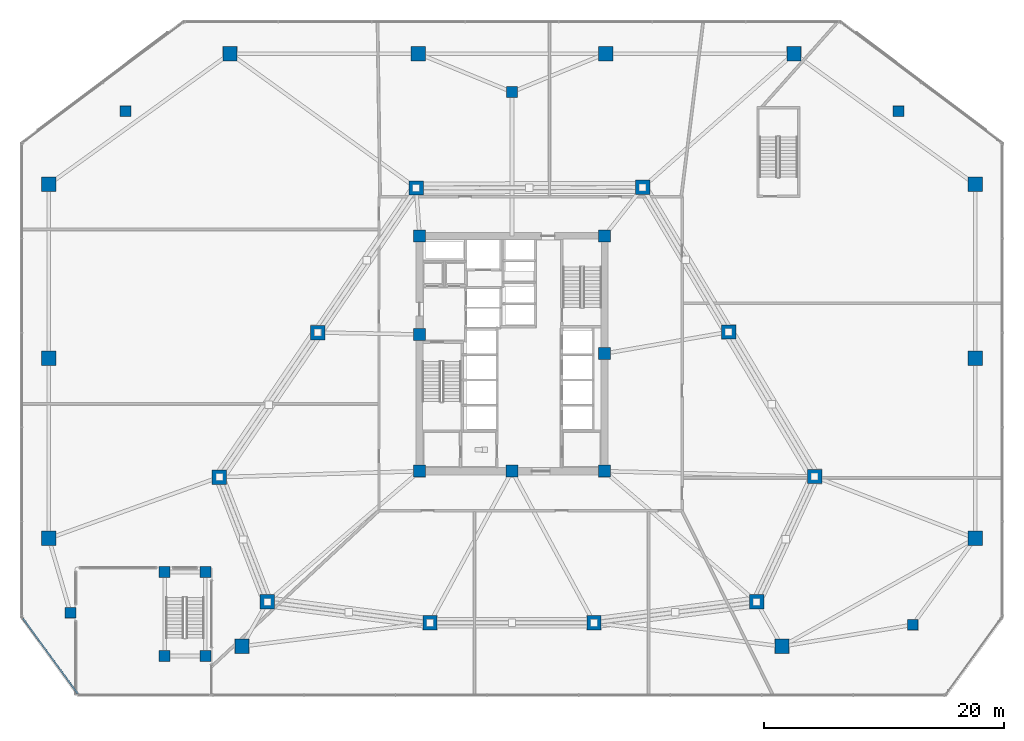
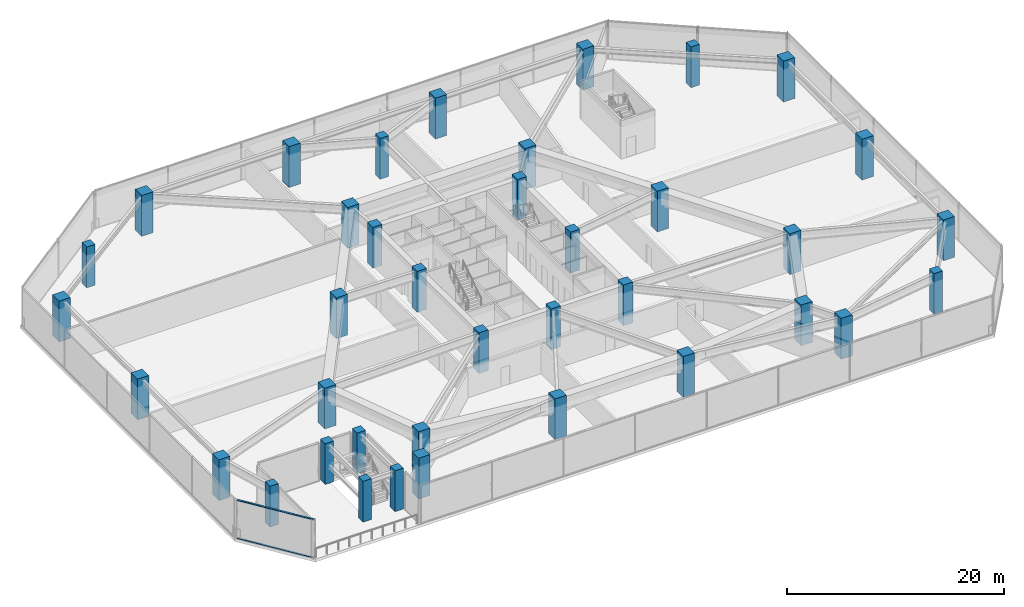
# One storey, part 1 of 23: 38 columns, 2 members, 1 element without a shape of its own.
"""IFC4 building model written with IfcOpenShell, lengths in metres."""

from ifc_helpers import new_model, si_unit, direction, frame, origin, origin_2d, place, context, subcontext, project, spatial, rectangle, extrude, material, material_profile, profile_set, type_object, element, aggregate, save


model = new_model("IFC4")

# Units and contexts
model_context = context("Model", 3, precision=1e-05, world=origin(), true_north=direction((0.0, 1.0)))
body_context = subcontext(model_context, "Body", "Model", "MODEL_VIEW")
ifc_project = project(units=[si_unit("LENGTHUNIT", "METRE"), si_unit("AREAUNIT", "SQUARE_METRE"), si_unit("VOLUMEUNIT", "CUBIC_METRE"), si_unit("PLANEANGLEUNIT", "RADIAN"), si_unit("MASSUNIT", "GRAM", prefix="KILO")], contexts=[model_context])

# Site, building, storey
site_placement = place(None, origin())
site = spatial("IfcSite", under=ifc_project, at=site_placement, CompositionType="ELEMENT")
building_placement = place(site_placement, origin())
building = spatial("IfcBuilding", under=site, at=building_placement, Name="Savorim Split Tower", CompositionType="ELEMENT")
storey_placement = place(building_placement, frame((0.0, 0.0, 21.800048828125)))
storey = spatial("IfcBuildingStorey", under=building, at=storey_placement, Name="L05", CompositionType="ELEMENT", Elevation=21.800048828125)

# Columns
ifc_material_1 = material(Name="Concrete C60/75", Category="concrete")
ifc_material_profile_1 = material_profile(ifc_material_1, rectangle(XDim=1.0, YDim=1.0, at=origin_2d()), Name="RC 1000x1000")
ifc_profile_set_1 = profile_set([ifc_material_profile_1], Name="Concrete C60/75")
column_type_1 = type_object("IfcColumnType", Name="COL-RC-1000", PredefinedType="COLUMN", material=ifc_profile_set_1)
for number, where, z_axis, x_axis, name in (
    (1, (-7.699951171875, -9.39990234375, 0.0), (0.0, 0.0, 1.0), (1.0, 0.0, 0.0), "L05 Core Structural Column TC-C1"),
    (2, (7.699951171875, -9.39990234375, 0.0), (0.0, 0.0, 1.0), (1.0, 0.0, 0.0), "L05 Core Structural Column TC-C2"),
    (3, (7.699951171875, 10.199951171875, 0.0), (0.0, 0.0, 1.0), (1.0, 0.0, 0.0), "L05 Core Structural Column TC-C3"),
    (4, (-7.699951171875, 10.199951171875, 0.0), (0.0, 0.0, 1.0), (1.0, 0.0, 0.0), "L05 Core Structural Column TC-C4"),
    (5, (0.0, -9.39990234375, 0.0), (0.0, 0.0, 1.0), (1.0, 0.0, 0.0), "L05 Core Structural Column TC-C5"),
    (6, (7.699951171875, 0.39990234375, 0.0), (0.0, 0.0, 1.0), (1.0, 0.0, 0.0), "L05 Core Structural Column TC-C6"),
    (7, (-7.699951171875, 2.0, 0.0), (0.0, 0.0, 1.0), (1.0, 0.0, 0.0), "L05 Core Structural Column TC-C7"),
):
    element("IfcColumn", number, at=place(storey_placement, frame(where, z_axis=z_axis, x_axis=x_axis)), inside=storey, type_object=column_type_1, Name=name, PredefinedType="COLUMN", context=body_context, shape_type="SweptSolid", body=[
        extrude(rectangle(XDim=1.0, YDim=1.0, at=origin_2d()), origin(), (0.0, 0.0, 1.0), 4.599853515625),
    ])
ifc_material_profile_2 = material_profile(ifc_material_1, rectangle(XDim=1.199951171875, YDim=1.199951171875, at=origin_2d()), Name="RC 1200x1200")
ifc_profile_set_2 = profile_set([ifc_material_profile_2], Name="Concrete C60/75")
column_type_2 = type_object("IfcColumnType", Name="COL-RC-1200", PredefinedType="COLUMN", material=ifc_profile_set_2)
for number, where, z_axis, x_axis, name in (
    (8, (38.60009765625, -15.0, 0.0), (0.0, 0.0, 1.0), (1.0, 0.0, 0.0), "L05 Podium Perimeter Column DC-05"),
    (9, (38.60009765625, 0.0, 0.0), (0.0, 0.0, 1.0), (1.0, 0.0, 0.0), "L05 Podium Perimeter Column DC-06"),
    (10, (38.60009765625, 14.5, 0.0), (0.0, 0.0, 1.0), (1.0, 0.0, 0.0), "L05 Podium Perimeter Column DC-07"),
    (11, (23.5, 25.39990234375, 0.0), (0.0, 0.0, 1.0), (1.0, 0.0, 0.0), "L05 Podium Perimeter Column DC-08"),
    (12, (7.800048828125, 25.39990234375, 0.0), (0.0, 0.0, 1.0), (1.0, 0.0, 0.0), "L05 Podium Perimeter Column DC-09"),
    (13, (-7.800048828125, 25.39990234375, 0.0), (0.0, 0.0, 1.0), (1.0, 0.0, 0.0), "L05 Podium Perimeter Column DC-10"),
    (14, (-23.5, 25.39990234375, 0.0), (0.0, 0.0, 1.0), (1.0, 0.0, 0.0), "L05 Podium Perimeter Column DC-11"),
    (15, (-38.60009765625, 14.5, 0.0), (0.0, 0.0, 1.0), (1.0, 0.0, 0.0), "L05 Podium Perimeter Column DC-12"),
    (16, (-38.60009765625, 0.0, 0.0), (0.0, 0.0, 1.0), (1.0, 0.0, 0.0), "L05 Podium Perimeter Column DC-13"),
    (17, (-38.60009765625, -15.0, 0.0), (0.0, 0.0, 1.0), (1.0, 0.0, 0.0), "L05 Podium Perimeter Column DC-14"),
    (18, (-22.5, -24.0, 0.0), (0.0, 0.0, 1.0), (1.0, 0.0, 0.0), "L05 Podium Perimeter Column DC-01"),
    (19, (22.5, -24.0, 0.0), (0.0, 0.0, 1.0), (1.0, 0.0, 0.0), "L05 Podium Perimeter Column DC-04"),
    (20, (-20.384033203125, -20.291748046875, 0.0), (0.0, 0.0, 1.0), (1.0, 0.0, 0.0), "L05 Tower Transfer Pier Column PC-S1"),
    (21, (-6.831787109375, -22.03173828125, 0.0), (0.0, 0.0, 1.0), (1.0, 0.0, 0.0), "L05 Tower Transfer Pier Column PC-S2"),
    (22, (6.831787109375, -22.03173828125, 0.0), (0.0, 0.0, 1.0), (1.0, 0.0, 0.0), "L05 Tower Transfer Pier Column PC-S3"),
    (23, (20.384033203125, -20.291748046875, 0.0), (0.0, 0.0, 1.0), (1.0, 0.0, 0.0), "L05 Tower Transfer Pier Column PC-S4"),
    (24, (25.21337890625, -9.845458984375, 0.0), (0.0, 0.0, 1.0), (1.0, 0.0, 0.0), "L05 Tower Transfer Pier Column PC-E1"),
    (25, (18.049560546875, 2.202392578125, 0.0), (0.0, 0.0, 1.0), (1.0, 0.0, 0.0), "L05 Tower Transfer Pier Column PC-E2"),
    (26, (10.885498046875, 14.25048828125, 0.0), (0.0, 0.0, 1.0), (1.0, 0.0, 0.0), "L05 Tower Transfer Pier Column PC-E3"),
    (27, (-7.992431640625, 14.20166015625, 0.0), (0.0, 0.0, 1.0), (1.0, 0.0, 0.0), "L05 Tower Transfer Pier Column PC-W1"),
    (28, (-16.1884765625, 2.15380859375, 0.0), (0.0, 0.0, 1.0), (1.0, 0.0, 0.0), "L05 Tower Transfer Pier Column PC-W2"),
    (29, (-24.384521484375, -9.894287109375, 0.0), (0.0, 0.0, 1.0), (1.0, 0.0, 0.0), "L05 Tower Transfer Pier Column PC-W3"),
):
    element("IfcColumn", number, at=place(storey_placement, frame(where, z_axis=z_axis, x_axis=x_axis)), inside=storey, type_object=column_type_2, Name=name, PredefinedType="COLUMN", context=body_context, shape_type="SweptSolid", body=[
        extrude(rectangle(XDim=1.199951171875, YDim=1.199951171875, at=origin_2d()), origin(), (0.0, 0.0, 1.0), 4.599853515625),
    ])
ifc_material_profile_3 = material_profile(ifc_material_1, rectangle(XDim=0.89990234375, YDim=0.89990234375, at=origin_2d()), Name="RC 900x900")
ifc_profile_set_3 = profile_set([ifc_material_profile_3], Name="Concrete C60/75")
column_type_3 = type_object("IfcColumnType", Name="COL-RC-900", PredefinedType="COLUMN", material=ifc_profile_set_3)
for number, where, z_axis, x_axis, name in (
    (30, (33.39990234375, -22.199951171875, 0.0), (0.0, 0.0, 1.0), (1.0, 0.0, 0.0), "L05 Podium Support Column GC-01"),
    (31, (32.199951171875, 20.60009765625, 0.0), (0.0, 0.0, 1.0), (1.0, 0.0, 0.0), "L05 Podium Support Column GC-02"),
    (32, (-32.199951171875, 20.60009765625, 0.0), (0.0, 0.0, 1.0), (1.0, 0.0, 0.0), "L05 Podium Support Column GC-03"),
    (33, (-36.800048828125, -21.199951171875, 0.0), (0.0, 0.0, 1.0), (1.0, 0.0, 0.0), "L05 Podium Support Column GC-04"),
    (34, (0.0, 22.199951171875, 0.0), (0.0, 0.0, 1.0), (1.0, 0.0, 0.0), "L05 Podium Support Column GC-05"),
    (35, (-28.949951171875, -24.800048828125, 0.0), (0.0, 0.0, 1.0), (1.0, 0.0, 0.0), "L05 Podium Support Column GSC-1"),
    (36, (-25.550048828125, -24.800048828125, 0.0), (0.0, 0.0, 1.0), (1.0, 0.0, 0.0), "L05 Podium Support Column GSC-2"),
    (37, (-28.949951171875, -17.800048828125, 0.0), (0.0, 0.0, 1.0), (1.0, 0.0, 0.0), "L05 Podium Support Column GSC-3"),
    (38, (-25.550048828125, -17.800048828125, 0.0), (0.0, 0.0, 1.0), (1.0, 0.0, 0.0), "L05 Podium Support Column GSC-4"),
):
    element("IfcColumn", number, at=place(storey_placement, frame(where, z_axis=z_axis, x_axis=x_axis)), inside=storey, type_object=column_type_3, Name=name, PredefinedType="COLUMN", context=body_context, shape_type="SweptSolid", body=[
        extrude(rectangle(XDim=0.89990234375, YDim=0.89990234375, at=origin_2d()), origin(), (0.0, 0.0, 1.0), 4.599853515625),
    ])

# Curtain wall, members
ifc_material_2 = material(Name="Dark Ceramic-Fritted Insulated Glass", Category="glass")
curtain_wall_type = type_object("IfcCurtainWallType", Name="CW-REFUGE-LVR", PredefinedType="NOTDEFINED", material=ifc_material_2)
curtain_wall_placement = place(storey_placement, origin())
curtain_wall = element("IfcCurtainWall", 39, at=curtain_wall_placement, inside=storey, type_object=curtain_wall_type, Name="L05 Curtain Wall CW-L05-E11", PredefinedType="NOTDEFINED")
ifc_material_3 = material(Name="Charcoal Anodised Aluminium", Category="aluminium")
ifc_material_profile_4 = material_profile(ifc_material_3, rectangle(XDim=0.139892578125, YDim=0.054931640625, at=origin_2d()), Name="ALU-T 140x55")
ifc_profile_set_4 = profile_set([ifc_material_profile_4], Name="Charcoal Anodised Aluminium")
member_type = type_object("IfcMemberType", Name="CWT-140x55", PredefinedType="USERDEFINED", material=ifc_profile_set_4)
member_1_placement = place(storey_placement, frame((-40.75, -21.671630859375, 0.02734375), z_axis=(0.588162333362, -0.808742894629, 0.0), x_axis=(0.808742894629, 0.588162333362, 0.0)))
member_1 = element("IfcMember", 40, at=member_1_placement, type_object=member_type, Name="CW-06 transom 1.1", ObjectType="TRANSOM", PredefinedType="USERDEFINED", context=body_context, shape_type="SweptSolid", body=[
    extrude(rectangle(XDim=0.139892578125, YDim=0.054931640625, at=origin_2d()), origin(), (0.0, 0.0, 1.0), 7.7509765625),
])
member_2_placement = place(storey_placement, frame((-40.75, -21.671630859375, 4.322509765625), z_axis=(0.588162333362, -0.808742894629, 0.0), x_axis=(0.808742894629, 0.588162333362, 0.0)))
member_2 = element("IfcMember", 41, at=member_2_placement, type_object=member_type, Name="CW-06 transom 1.2", ObjectType="TRANSOM", PredefinedType="USERDEFINED", context=body_context, shape_type="SweptSolid", body=[
    extrude(rectangle(XDim=0.139892578125, YDim=0.054931640625, at=origin_2d()), origin(), (0.0, 0.0, 1.0), 7.7509765625),
])
aggregate(curtain_wall, [member_1, member_2])

save(model, "model.ifc")
